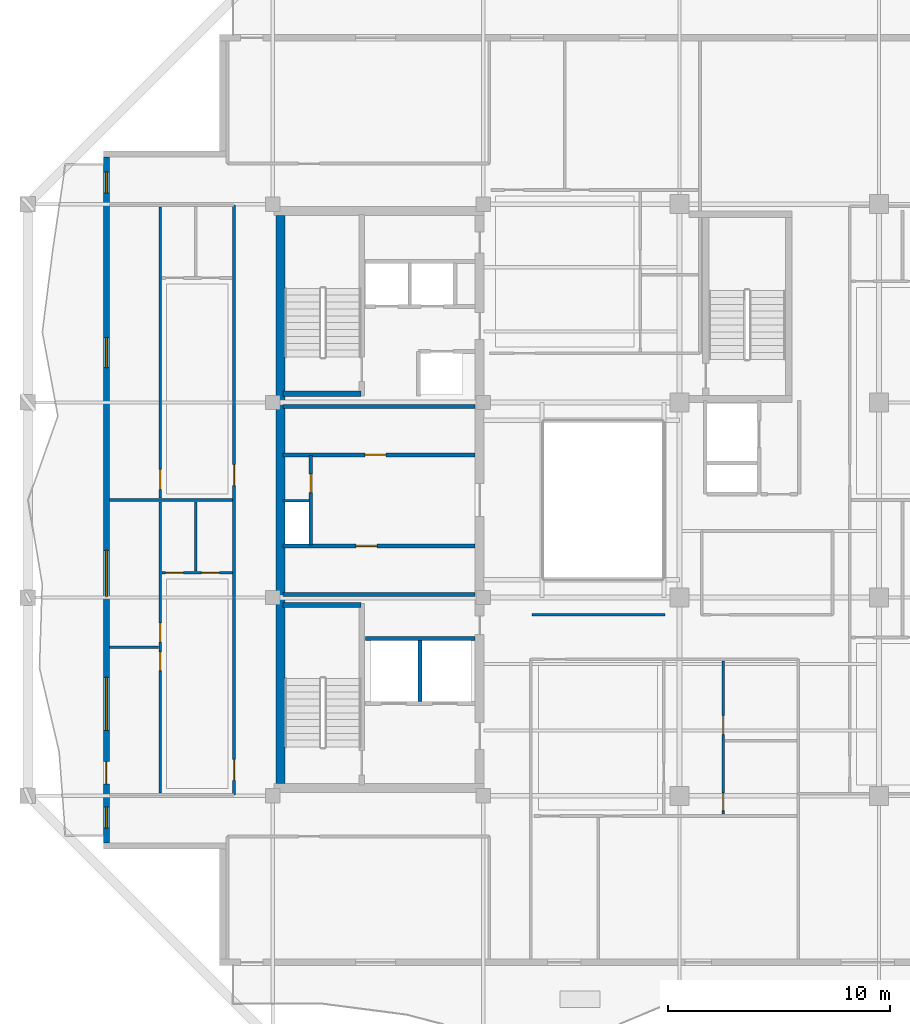
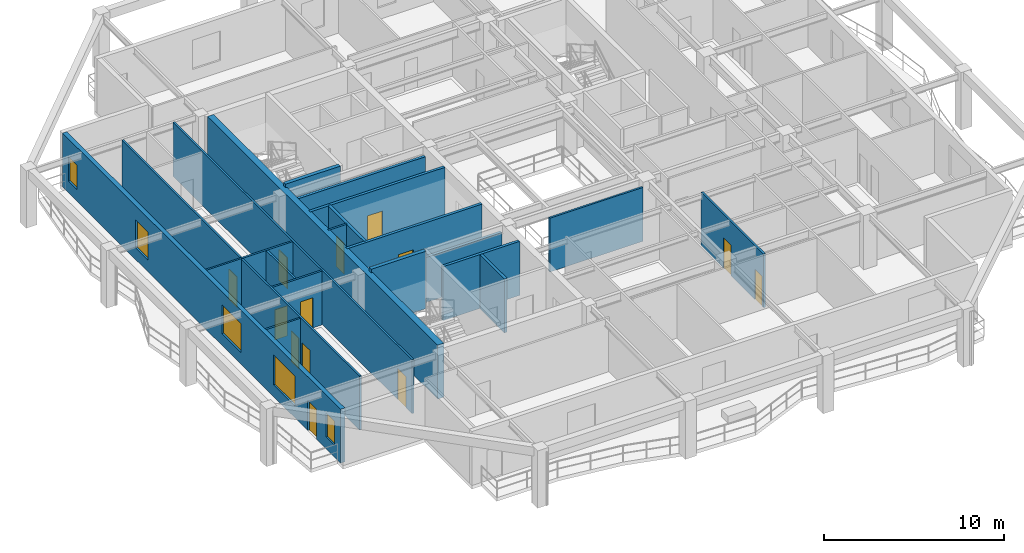
# One storey, part 3 of 11: 21 walls, 13 doors, 5 windows, 18 openings.
"""IFC4 building model written with IfcOpenShell, lengths in metres."""

from ifc_helpers import new_model, si_unit, direction, frame, frame_2d, origin, place, context, subcontext, project, spatial, rectangle, extrude, material, layer, layer_set, type_object, element, fill, save


model = new_model("IFC4")

# Units and contexts
model_context = context("Model", 3, precision=1e-05, world=origin(), true_north=direction((0.0, 1.0)))
body_context = subcontext(model_context, "Body", "Model", "MODEL_VIEW")
ifc_project = project(units=[si_unit("LENGTHUNIT", "METRE"), si_unit("AREAUNIT", "SQUARE_METRE"), si_unit("VOLUMEUNIT", "CUBIC_METRE"), si_unit("PLANEANGLEUNIT", "RADIAN"), si_unit("MASSUNIT", "GRAM", prefix="KILO")], contexts=[model_context])

# Site, building, storey
site_placement = place(None, origin())
site = spatial("IfcSite", under=ifc_project, at=site_placement, CompositionType="ELEMENT")
building_placement = place(site_placement, origin())
building = spatial("IfcBuilding", under=site, at=building_placement, Name="Kundavana Baori Tower", CompositionType="ELEMENT")
storey_placement = place(building_placement, frame((0.0, 0.0, 221.89990234375)))
storey = spatial("IfcBuildingStorey", under=building, at=storey_placement, Name="L54", CompositionType="ELEMENT", Elevation=221.89990234375)

# Walls
ifc_material_1 = material(Name="Concrete C50/60", Category="concrete")
ifc_layer_1 = layer(ifc_material_1, 0.39990234375, Name="WL-CORE-400")
ifc_layer_set_1 = layer_set([ifc_layer_1], Name="Concrete C50/60")
wall_type_1 = type_object("IfcWallType", Name="WL-CORE-400", PredefinedType="SHEAR", material=ifc_layer_set_1)
wall_1_placement = place(storey_placement, frame((15.7900390625, 15.81005859375, 0.0), z_axis=(0.0, 0.0, 1.0), x_axis=(0.0, 1.0, 0.0)))
element("IfcWall", 1, at=wall_1_placement, inside=storey, type_object=wall_type_1, Name="L54 Offset Core West Shear Wall", PredefinedType="SHEAR", context=body_context, shape_type="SweptSolid", body=[
    extrude(rectangle(XDim=25.6298828125, YDim=0.39990234375, at=frame_2d((12.81494140625, 0.0))), origin(), (0.0, 0.0, 1.0), 3.66015625),
])
for number, where, z_axis, x_axis, name in (
    (2, (15.89990234375, 23.860107421875, 0.0), (0.0, 0.0, 1.0), (1.0, 0.0, 0.0), "WL-L54-ST1-N"),
    (3, (15.89990234375, 33.389892578125, 0.0), (0.0, 0.0, 1.0), (1.0, 0.0, 0.0), "WL-L54-ST2-S"),
):
    element("IfcWall", number, at=place(storey_placement, frame(where, z_axis=z_axis, x_axis=x_axis)), inside=storey, type_object=wall_type_1, Name=name, PredefinedType="SHEAR", context=body_context, shape_type="SweptSolid", body=[
        extrude(rectangle(XDim=3.52001953125, YDim=0.239990234375, at=frame_2d((1.760009765625, 0.0))), origin(), (0.0, 0.0, 1.0), 3.900146484375),
    ])

# Wall, openings, door, windows
ifc_material_2 = material(Name="Red-Buff Dholpur Sandstone Cladding on Concrete C40/50", Category="masonry")
ifc_layer_2 = layer(ifc_material_2, 0.280029296875, Name="WL-EXT-SAND-280")
ifc_layer_set_2 = layer_set([ifc_layer_2], Name="Red-Buff Dholpur Sandstone Cladding on Concrete C40/50")
wall_type_2 = type_object("IfcWallType", Name="WL-EXT-SAND-280", PredefinedType="STANDARD", material=ifc_layer_set_2)
wall_2_placement = place(storey_placement, frame((7.93994140625, 44.070068359375, 0.0), z_axis=(0.0, 0.0, 1.0), x_axis=(0.0, -1.0, 0.0)))
wall_2 = element("IfcWall", 4, at=wall_2_placement, inside=storey, type_object=wall_type_2, Name="L54 Exterior Insulated Facade Wall 10", PredefinedType="STANDARD", context=body_context, shape_type="SweptSolid", body=[
    extrude(rectangle(XDim=30.940185546875, YDim=0.280029296875, at=frame_2d((15.47021484375, 0.0))), origin(), (0.0, 0.0, 1.0), 3.66015625),
])
opening_1_placement = place(wall_2_placement, frame((29.324951171875, 0.0, 0.800048828125)))
opening_1 = element("IfcOpeningElement", 5, at=opening_1_placement, cuts=wall_2, Name="Opening W-13", PredefinedType="OPENING", context=body_context, shape_type="SweptSolid", body=[
    extrude(rectangle(XDim=0.949951171875, YDim=1.64990234375, at=frame_2d((0.47509765625, 0.824951171875))), frame((0.0, 0.14990234375, 0.0), z_axis=(0.0, -1.0, 0.0), x_axis=(1.0, 0.0, 0.0)), (0.0, 0.0, 1.0), 0.300048828125),
])
opening_2_placement = place(wall_2_placement, frame((27.280029296875, 0.0, 0.0)))
opening_2 = element("IfcOpeningElement", 6, at=opening_2_placement, cuts=wall_2, Name="Opening BD-1", PredefinedType="OPENING", context=body_context, shape_type="SweptSolid", body=[
    extrude(rectangle(XDim=1.0, YDim=2.050048828125, at=frame_2d((0.5, 1.02490234375))), frame((0.0, 0.14990234375, 0.0), z_axis=(0.0, -1.0, 0.0), x_axis=(1.0, 0.0, 0.0)), (0.0, 0.0, 1.0), 0.300048828125),
])
opening_3_placement = place(wall_2_placement, frame((23.469970703125, 0.0, 0.800048828125)))
opening_3 = element("IfcOpeningElement", 7, at=opening_3_placement, cuts=wall_2, Name="Opening W-04", PredefinedType="OPENING", context=body_context, shape_type="SweptSolid", body=[
    extrude(rectangle(XDim=2.39990234375, YDim=2.050048828125, at=frame_2d((1.199951171875, 1.02490234375))), frame((0.0, 0.14990234375, 0.0), z_axis=(0.0, -1.0, 0.0), x_axis=(1.0, 0.0, 0.0)), (0.0, 0.0, 1.0), 0.300048828125),
])
opening_4_placement = place(wall_2_placement, frame((17.7451171875, 0.0, 0.800048828125)))
opening_4 = element("IfcOpeningElement", 8, at=opening_4_placement, cuts=wall_2, Name="Opening W-05", PredefinedType="OPENING", context=body_context, shape_type="SweptSolid", body=[
    extrude(rectangle(XDim=2.10009765625, YDim=1.949951171875, at=frame_2d((1.050048828125, 0.97509765625))), frame((0.0, 0.14990234375, 0.0), z_axis=(0.0, -1.0, 0.0), x_axis=(1.0, 0.0, 0.0)), (0.0, 0.0, 1.0), 0.300048828125),
])
opening_5_placement = place(wall_2_placement, frame((8.14501953125, 0.0, 0.800048828125)))
opening_5 = element("IfcOpeningElement", 9, at=opening_5_placement, cuts=wall_2, Name="Opening W-07", PredefinedType="OPENING", context=body_context, shape_type="SweptSolid", body=[
    extrude(rectangle(XDim=1.35009765625, YDim=1.89990234375, at=frame_2d((0.675048828125, 0.949951171875))), frame((0.0, 0.14990234375, 0.0), z_axis=(0.0, -1.0, 0.0), x_axis=(1.0, 0.0, 0.0)), (0.0, 0.0, 1.0), 0.300048828125),
])
opening_6_placement = place(wall_2_placement, frame((0.6650390625, 0.0, 0.800048828125)))
opening_6 = element("IfcOpeningElement", 10, at=opening_6_placement, cuts=wall_2, Name="Opening W-13", PredefinedType="OPENING", context=body_context, shape_type="SweptSolid", body=[
    extrude(rectangle(XDim=0.949951171875, YDim=1.64990234375, at=frame_2d((0.47509765625, 0.824951171875))), frame((0.0, 0.14990234375, 0.0), z_axis=(0.0, -1.0, 0.0), x_axis=(1.0, 0.0, 0.0)), (0.0, 0.0, 1.0), 0.300048828125),
])
ifc_material_3 = material(Name="Architectural Patinated Bronze Metalwork")
door_type_1 = type_object("IfcDoorType", Name="DR-EXT-LOG-1000", OperationType="NOTDEFINED", PredefinedType="DOOR", material=ifc_material_3)
door_1_placement = place(opening_2_placement, frame((1.0, 0.0, 0.0), z_axis=(0.0, 0.0, 1.0), x_axis=(-1.0, 0.0, 0.0)))
door_1 = element("IfcDoor", 11, at=door_1_placement, inside=storey, type_object=door_type_1, Name="L54 Loggia Balcony Access Door W", OperationType="SINGLE_SWING_LEFT", OverallHeight=2.050048828125, OverallWidth=1.0, PredefinedType="DOOR", context=body_context, shape_type="SweptSolid", body=[
    extrude(rectangle(XDim=1.0, YDim=2.050048828125, at=frame_2d((0.5, 1.02490234375))), frame((0.0, 0.02490234375, 0.0), z_axis=(0.0, -1.0, 0.0), x_axis=(1.0, 0.0, 0.0)), (0.0, 0.0, 1.0), 0.050048828125),
])
fill(opening_2, door_1)
ifc_material_4 = material(Name="Double-Glazed Solar-Control Low-E Insulated Glass", Category="glass")
window_type_1 = type_object("IfcWindowType", Name="WIN-LOG-1350x1900", PartitioningType="SINGLE_PANEL", PredefinedType="WINDOW", material=ifc_material_4)
window_1_placement = place(opening_5_placement, origin())
window_1 = element("IfcWindow", 12, at=window_1_placement, inside=storey, type_object=window_type_1, Name="L54 Recessed Loggia Window W-4", OverallHeight=1.89990234375, OverallWidth=1.35009765625, PartitioningType="SINGLE_PANEL", PredefinedType="WINDOW", context=body_context, shape_type="SweptSolid", body=[
    extrude(rectangle(XDim=1.35009765625, YDim=1.89990234375, at=frame_2d((0.675048828125, 0.949951171875))), frame((0.0, 0.030029296875, 0.0), z_axis=(0.0, -1.0, 0.0), x_axis=(1.0, 0.0, 0.0)), (0.0, 0.0, 1.0), 0.06005859375),
])
fill(opening_5, window_1)
ifc_material_5 = material(Name="Double-Glazed Solar-Control Low-E Insulated Glass", Category="glass")
window_type_2 = type_object("IfcWindowType", Name="WIN-LOG-2100x1950", PartitioningType="SINGLE_PANEL", PredefinedType="WINDOW", material=ifc_material_5)
window_2_placement = place(opening_4_placement, origin())
window_2 = element("IfcWindow", 13, at=window_2_placement, inside=storey, type_object=window_type_2, Name="L54 Recessed Loggia Window W-3", OverallHeight=1.949951171875, OverallWidth=2.10009765625, PartitioningType="SINGLE_PANEL", PredefinedType="WINDOW", context=body_context, shape_type="SweptSolid", body=[
    extrude(rectangle(XDim=2.10009765625, YDim=1.949951171875, at=frame_2d((1.050048828125, 0.97509765625))), frame((0.0, 0.030029296875, 0.0), z_axis=(0.0, -1.0, 0.0), x_axis=(1.0, 0.0, 0.0)), (0.0, 0.0, 1.0), 0.06005859375),
])
fill(opening_4, window_2)
ifc_material_6 = material(Name="Double-Glazed Solar-Control Low-E Insulated Glass", Category="glass")
window_type_3 = type_object("IfcWindowType", Name="WIN-LOG-2400x2050", PartitioningType="SINGLE_PANEL", PredefinedType="WINDOW", material=ifc_material_6)
window_3_placement = place(opening_3_placement, origin())
window_3 = element("IfcWindow", 14, at=window_3_placement, inside=storey, type_object=window_type_3, Name="L54 Recessed Loggia Window W-2", OverallHeight=2.050048828125, OverallWidth=2.39990234375, PartitioningType="SINGLE_PANEL", PredefinedType="WINDOW", context=body_context, shape_type="SweptSolid", body=[
    extrude(rectangle(XDim=2.39990234375, YDim=2.050048828125, at=frame_2d((1.199951171875, 1.02490234375))), frame((0.0, 0.030029296875, 0.0), z_axis=(0.0, -1.0, 0.0), x_axis=(1.0, 0.0, 0.0)), (0.0, 0.0, 1.0), 0.06005859375),
])
fill(opening_3, window_3)
ifc_material_7 = material(Name="Double-Glazed Solar-Control Low-E Insulated Glass", Category="glass")
window_type_4 = type_object("IfcWindowType", Name="WIN-LOG-950x1650", PartitioningType="SINGLE_PANEL", PredefinedType="WINDOW", material=ifc_material_7)
window_4_placement = place(opening_1_placement, origin())
window_4 = element("IfcWindow", 15, at=window_4_placement, inside=storey, type_object=window_type_4, Name="L54 Recessed Loggia Window W-1", OverallHeight=1.64990234375, OverallWidth=0.949951171875, PartitioningType="SINGLE_PANEL", PredefinedType="WINDOW", context=body_context, shape_type="SweptSolid", body=[
    extrude(rectangle(XDim=0.949951171875, YDim=1.64990234375, at=frame_2d((0.47509765625, 0.824951171875))), frame((0.0, 0.030029296875, 0.0), z_axis=(0.0, -1.0, 0.0), x_axis=(1.0, 0.0, 0.0)), (0.0, 0.0, 1.0), 0.06005859375),
])
fill(opening_1, window_4)
window_5_placement = place(opening_6_placement, origin())
window_5 = element("IfcWindow", 16, at=window_5_placement, inside=storey, type_object=window_type_4, Name="L54 Recessed Loggia Window W-5", OverallHeight=1.64990234375, OverallWidth=0.949951171875, PartitioningType="SINGLE_PANEL", PredefinedType="WINDOW", context=body_context, shape_type="SweptSolid", body=[
    extrude(rectangle(XDim=0.949951171875, YDim=1.64990234375, at=frame_2d((0.47509765625, 0.824951171875))), frame((0.0, 0.030029296875, 0.0), z_axis=(0.0, -1.0, 0.0), x_axis=(1.0, 0.0, 0.0)), (0.0, 0.0, 1.0), 0.06005859375),
])
fill(opening_6, window_5)

# Walls
ifc_material_8 = material(Name="Acoustic Gypsum Plasterboard on Galvanised Steel Studs", Category="steel")
ifc_layer_3 = layer(ifc_material_8, 0.1201171875, Name="WL-PART-120")
ifc_layer_set_3 = layer_set([ifc_layer_3], Name="Acoustic Gypsum Plasterboard on Galvanised Steel Studs")
wall_type_3 = type_object("IfcWallType", Name="WL-PART-120", PredefinedType="PARTITIONING", material=ifc_layer_set_3)
wall_3_placement = place(storey_placement, frame((15.89990234375, 28.56005859375, 0.0), z_axis=(0.0, 0.0, 1.0), x_axis=(1.0, 0.0, 0.0)))
element("IfcWall", 17, at=wall_3_placement, inside=storey, type_object=wall_type_3, Name="WL-L54-RSRW-N", PredefinedType="PARTITIONING", context=body_context, shape_type="SweptSolid", body=[
    extrude(rectangle(XDim=1.2001953125, YDim=0.1201171875, at=frame_2d((0.60009765625, 0.0))), origin(), (0.0, 0.0, 1.0), 3.66015625),
])
wall_4_placement = place(storey_placement, frame((27.14990234375, 23.419921875, 0.0), z_axis=(0.0, 0.0, 1.0), x_axis=(1.0, 0.0, 0.0)))
element("IfcWall", 18, at=wall_4_placement, inside=storey, type_object=wall_type_3, Name="WL-L54-RST", PredefinedType="PARTITIONING", context=body_context, shape_type="SweptSolid", body=[
    extrude(rectangle(XDim=6.0, YDim=0.1201171875, at=frame_2d((3.0, 0.0))), origin(), (0.0, 0.0, 1.0), 3.66015625),
])

# Wall, openings, doors
wall_5_placement = place(storey_placement, frame((13.699951171875, 15.300048828125, 0.0), z_axis=(0.0, 0.0, 1.0), x_axis=(0.0, 1.0, 0.0)))
wall_5 = element("IfcWall", 19, at=wall_5_placement, inside=storey, type_object=wall_type_3, Name="WL-L54-RW", PredefinedType="PARTITIONING", context=body_context, shape_type="SweptSolid", body=[
    extrude(rectangle(XDim=26.599853515625, YDim=0.1201171875, at=frame_2d((13.2998046875, 0.0))), origin(), (0.0, 0.0, 1.0), 3.66015625),
])
opening_7_placement = place(wall_5_placement, frame((0.64990234375, 0.0, 0.0)))
opening_7 = element("IfcOpeningElement", 20, at=opening_7_placement, cuts=wall_5, Name="Opening FD-095", PredefinedType="OPENING", context=body_context, shape_type="SweptSolid", body=[
    extrude(rectangle(XDim=0.949951171875, YDim=2.10009765625, at=frame_2d((0.47509765625, 1.050048828125))), frame((0.0, 0.070068359375, 0.0), z_axis=(0.0, -1.0, 0.0), x_axis=(1.0, 0.0, 0.0)), (0.0, 0.0, 1.0), 0.14013671875),
])
opening_8_placement = place(wall_5_placement, frame((13.949951171875, 0.0, 0.0)))
opening_8 = element("IfcOpeningElement", 21, at=opening_8_placement, cuts=wall_5, Name="Opening FD-095", PredefinedType="OPENING", context=body_context, shape_type="SweptSolid", body=[
    extrude(rectangle(XDim=0.949951171875, YDim=2.10009765625, at=frame_2d((0.47509765625, 1.050048828125))), frame((0.0, 0.070068359375, 0.0), z_axis=(0.0, -1.0, 0.0), x_axis=(1.0, 0.0, 0.0)), (0.0, 0.0, 1.0), 0.14013671875),
])
ifc_material_9 = material(Name="Engineered Teak Fire-Rated Timber Door Leaf", Category="wood")
door_type_2 = type_object("IfcDoorType", Name="DR-FD60-950", OperationType="NOTDEFINED", PredefinedType="DOOR", material=ifc_material_9)
door_2_placement = place(opening_7_placement, frame((0.949951171875, 0.0, 0.0), z_axis=(0.0, 0.0, 1.0), x_axis=(-1.0, 0.0, 0.0)))
door_2 = element("IfcDoor", 22, at=door_2_placement, inside=storey, type_object=door_type_2, Name="DR-L54-W1-ENT", OperationType="SINGLE_SWING_LEFT", OverallHeight=2.10009765625, OverallWidth=0.949951171875, PredefinedType="DOOR", context=body_context, shape_type="SweptSolid", body=[
    extrude(rectangle(XDim=0.949951171875, YDim=2.10009765625, at=frame_2d((0.47509765625, 1.050048828125))), frame((0.0, 0.02490234375, 0.0), z_axis=(0.0, -1.0, 0.0), x_axis=(1.0, 0.0, 0.0)), (0.0, 0.0, 1.0), 0.050048828125),
])
fill(opening_7, door_2)
door_3_placement = place(opening_8_placement, frame((0.949951171875, 0.0, 0.0), z_axis=(0.0, 0.0, 1.0), x_axis=(-1.0, 0.0, 0.0)))
door_3 = element("IfcDoor", 23, at=door_3_placement, inside=storey, type_object=door_type_2, Name="DR-L54-W2-ENT", OperationType="SINGLE_SWING_LEFT", OverallHeight=2.10009765625, OverallWidth=0.949951171875, PredefinedType="DOOR", context=body_context, shape_type="SweptSolid", body=[
    extrude(rectangle(XDim=0.949951171875, YDim=2.10009765625, at=frame_2d((0.47509765625, 1.050048828125))), frame((0.0, 0.02490234375, 0.0), z_axis=(0.0, -1.0, 0.0), x_axis=(1.0, 0.0, 0.0)), (0.0, 0.0, 1.0), 0.050048828125),
])
fill(opening_8, door_3)

wall_6_placement = place(storey_placement, frame((10.3701171875, 15.3798828125, 0.0), z_axis=(0.0, 0.0, 1.0), x_axis=(0.0, 1.0, 0.0)))
wall_6 = element("IfcWall", 24, at=wall_6_placement, inside=storey, type_object=wall_type_3, Name="WL-L54-W1-VT", PredefinedType="PARTITIONING", context=body_context, shape_type="SweptSolid", body=[
    extrude(rectangle(XDim=13.14013671875, YDim=0.1201171875, at=frame_2d((6.570068359375, 0.0))), origin(), (0.0, 0.0, 1.0), 3.66015625),
])
opening_9_placement = place(wall_6_placement, frame((5.52001953125, 0.0, 0.0)))
opening_9 = element("IfcOpeningElement", 25, at=opening_9_placement, cuts=wall_6, Name="Opening ID-085", PredefinedType="OPENING", context=body_context, shape_type="SweptSolid", body=[
    extrude(rectangle(XDim=0.85009765625, YDim=2.080078125, at=frame_2d((0.425048828125, 1.0400390625))), frame((0.0, 0.070068359375, 0.0), z_axis=(0.0, -1.0, 0.0), x_axis=(1.0, 0.0, 0.0)), (0.0, 0.0, 1.0), 0.14013671875),
])
opening_10_placement = place(wall_6_placement, frame((6.820068359375, 0.0, 0.0)))
opening_10 = element("IfcOpeningElement", 26, at=opening_10_placement, cuts=wall_6, Name="Opening ID-085", PredefinedType="OPENING", context=body_context, shape_type="SweptSolid", body=[
    extrude(rectangle(XDim=0.85009765625, YDim=2.080078125, at=frame_2d((0.425048828125, 1.0400390625))), frame((0.0, 0.070068359375, 0.0), z_axis=(0.0, -1.0, 0.0), x_axis=(1.0, 0.0, 0.0)), (0.0, 0.0, 1.0), 0.14013671875),
])
ifc_material_10 = material(Name="Engineered Teak Solid-Core Timber Veneer", Category="wood")
door_type_3 = type_object("IfcDoorType", Name="DR-INT-850", OperationType="NOTDEFINED", PredefinedType="DOOR", material=ifc_material_10)
door_4_placement = place(opening_9_placement, frame((0.85009765625, 0.0, 0.0), z_axis=(0.0, 0.0, 1.0), x_axis=(-1.0, 0.0, 0.0)))
door_4 = element("IfcDoor", 27, at=door_4_placement, inside=storey, type_object=door_type_3, Name="DR-L54-W1-B1", OperationType="SINGLE_SWING_LEFT", OverallHeight=2.080078125, OverallWidth=0.85009765625, PredefinedType="DOOR", context=body_context, shape_type="SweptSolid", body=[
    extrude(rectangle(XDim=0.85009765625, YDim=2.080078125, at=frame_2d((0.425048828125, 1.0400390625))), frame((0.0, 0.02490234375, 0.0), z_axis=(0.0, -1.0, 0.0), x_axis=(1.0, 0.0, 0.0)), (0.0, 0.0, 1.0), 0.050048828125),
])
fill(opening_9, door_4)
door_5_placement = place(opening_10_placement, frame((0.85009765625, 0.0, 0.0), z_axis=(0.0, 0.0, 1.0), x_axis=(-1.0, 0.0, 0.0)))
door_5 = element("IfcDoor", 28, at=door_5_placement, inside=storey, type_object=door_type_3, Name="DR-L54-W1-B2", OperationType="SINGLE_SWING_RIGHT", OverallHeight=2.080078125, OverallWidth=0.85009765625, PredefinedType="DOOR", context=body_context, shape_type="SweptSolid", body=[
    extrude(rectangle(XDim=0.85009765625, YDim=2.080078125, at=frame_2d((0.425048828125, 1.0400390625))), frame((0.0, 0.02490234375, 0.0), z_axis=(0.0, -1.0, 0.0), x_axis=(1.0, 0.0, 0.0)), (0.0, 0.0, 1.0), 0.050048828125),
])
fill(opening_10, door_5)

# Walls
wall_7_placement = place(storey_placement, frame((8.080078125, 21.949951171875, 0.0), z_axis=(0.0, 0.0, 1.0), x_axis=(1.0, 0.0, 0.0)))
element("IfcWall", 29, at=wall_7_placement, inside=storey, type_object=wall_type_3, Name="WL-L54-W1-BDH", PredefinedType="PARTITIONING", context=body_context, shape_type="SweptSolid", body=[
    extrude(rectangle(XDim=2.2099609375, YDim=0.1201171875, at=frame_2d((1.10498046875, 0.0))), origin(), (0.0, 0.0, 1.0), 3.66015625),
])
wall_8_placement = place(storey_placement, frame((8.080078125, 28.60009765625, 0.0), z_axis=(0.0, 0.0, 1.0), x_axis=(1.0, 0.0, 0.0)))
element("IfcWall", 30, at=wall_8_placement, inside=storey, type_object=wall_type_3, Name="WL-L54-RWD1", PredefinedType="PARTITIONING", context=body_context, shape_type="SweptSolid", body=[
    extrude(rectangle(XDim=5.559814453125, YDim=0.1201171875, at=frame_2d((2.77978515625, 0.0))), origin(), (0.0, 0.0, 1.0), 3.66015625),
])

# Wall, opening, door
wall_9_placement = place(storey_placement, frame((10.3701171875, 28.679931640625, 0.0), z_axis=(0.0, 0.0, 1.0), x_axis=(0.0, 1.0, 0.0)))
wall_9 = element("IfcWall", 31, at=wall_9_placement, inside=storey, type_object=wall_type_3, Name="WL-L54-W2-VT", PredefinedType="PARTITIONING", context=body_context, shape_type="SweptSolid", body=[
    extrude(rectangle(XDim=13.14013671875, YDim=0.1201171875, at=frame_2d((6.570068359375, 0.0))), origin(), (0.0, 0.0, 1.0), 3.66015625),
])
opening_11_placement = place(wall_9_placement, frame((0.39990234375, 0.0, 0.0)))
opening_11 = element("IfcOpeningElement", 32, at=opening_11_placement, cuts=wall_9, Name="Opening ID-090", PredefinedType="OPENING", context=body_context, shape_type="SweptSolid", body=[
    extrude(rectangle(XDim=0.89990234375, YDim=2.080078125, at=frame_2d((0.449951171875, 1.0400390625))), frame((0.0, 0.070068359375, 0.0), z_axis=(0.0, -1.0, 0.0), x_axis=(1.0, 0.0, 0.0)), (0.0, 0.0, 1.0), 0.14013671875),
])
ifc_material_11 = material(Name="Engineered Teak Solid-Core Timber Veneer", Category="wood")
door_type_4 = type_object("IfcDoorType", Name="DR-INT-900", OperationType="NOTDEFINED", PredefinedType="DOOR", material=ifc_material_11)
door_6_placement = place(opening_11_placement, frame((0.89990234375, 0.0, 0.0), z_axis=(0.0, 0.0, 1.0), x_axis=(-1.0, 0.0, 0.0)))
door_6 = element("IfcDoor", 33, at=door_6_placement, inside=storey, type_object=door_type_4, Name="DR-L54-W2-B1", OperationType="SINGLE_SWING_LEFT", OverallHeight=2.080078125, OverallWidth=0.89990234375, PredefinedType="DOOR", context=body_context, shape_type="SweptSolid", body=[
    extrude(rectangle(XDim=0.89990234375, YDim=2.080078125, at=frame_2d((0.449951171875, 1.0400390625))), frame((0.0, 0.02490234375, 0.0), z_axis=(0.0, -1.0, 0.0), x_axis=(1.0, 0.0, 0.0)), (0.0, 0.0, 1.0), 0.050048828125),
])
fill(opening_11, door_6)

# Walls
ifc_material_12 = material(Name="Autoclaved Aerated Concrete Blockwork Masonry", Category="masonry")
ifc_layer_4 = layer(ifc_material_12, 0.179931640625, Name="WL-SHAFT-180")
ifc_layer_set_4 = layer_set([ifc_layer_4], Name="Autoclaved Aerated Concrete Blockwork Masonry")
wall_type_4 = type_object("IfcWallType", Name="WL-SHAFT-180", PredefinedType="SOLIDWALL", material=ifc_layer_set_4)
wall_10_placement = place(storey_placement, frame((22.10009765625, 19.510009765625, 0.0), z_axis=(0.0, 0.0, 1.0), x_axis=(0.0, 1.0, 0.0)))
element("IfcWall", 34, at=wall_10_placement, inside=storey, type_object=wall_type_4, Name="WL-L54-FFL-MID", PredefinedType="SOLIDWALL", context=body_context, shape_type="SweptSolid", body=[
    extrude(rectangle(XDim=2.739990234375, YDim=0.179931640625, at=frame_2d((1.3701171875, 0.0))), origin(), (0.0, 0.0, 1.0), 3.66015625),
])
wall_11_placement = place(storey_placement, frame((19.639892578125, 22.340087890625, 0.0), z_axis=(0.0, 0.0, 1.0), x_axis=(1.0, 0.0, 0.0)))
element("IfcWall", 35, at=wall_11_placement, inside=storey, type_object=wall_type_4, Name="WL-L54-FFL-N", PredefinedType="SOLIDWALL", context=body_context, shape_type="SweptSolid", body=[
    extrude(rectangle(XDim=4.940185546875, YDim=0.179931640625, at=frame_2d((2.47021484375, 0.0))), origin(), (0.0, 0.0, 1.0), 3.66015625),
])

# Wall, opening, door
wall_12_placement = place(storey_placement, frame((15.89990234375, 26.52001953125, 0.0), z_axis=(0.0, 0.0, 1.0), x_axis=(1.0, 0.0, 0.0)))
wall_12 = element("IfcWall", 36, at=wall_12_placement, inside=storey, type_object=wall_type_4, Name="WL-L54-LPLOW-N", PredefinedType="SOLIDWALL", context=body_context, shape_type="SweptSolid", body=[
    extrude(rectangle(XDim=8.68017578125, YDim=0.179931640625, at=frame_2d((4.340087890625, 0.0))), origin(), (0.0, 0.0, 1.0), 3.66015625),
])
opening_12_placement = place(wall_12_placement, frame((3.300048828125, 0.0, 0.0)))
opening_12 = element("IfcOpeningElement", 37, at=opening_12_placement, cuts=wall_12, Name="Opening FD-095", PredefinedType="OPENING", context=body_context, shape_type="SweptSolid", body=[
    extrude(rectangle(XDim=0.949951171875, YDim=2.10009765625, at=frame_2d((0.47509765625, 1.050048828125))), frame((0.0, 0.10009765625, 0.0), z_axis=(0.0, -1.0, 0.0), x_axis=(1.0, 0.0, 0.0)), (0.0, 0.0, 1.0), 0.199951171875),
])
door_7_placement = place(opening_12_placement, origin())
door_7 = element("IfcDoor", 38, at=door_7_placement, inside=storey, type_object=door_type_2, Name="DR-L54-FRLOW1", OperationType="SINGLE_SWING_LEFT", OverallHeight=2.10009765625, OverallWidth=0.949951171875, PredefinedType="DOOR", context=body_context, shape_type="SweptSolid", body=[
    extrude(rectangle(XDim=0.949951171875, YDim=2.10009765625, at=frame_2d((0.47509765625, 1.050048828125))), frame((0.0, 0.02490234375, 0.0), z_axis=(0.0, -1.0, 0.0), x_axis=(1.0, 0.0, 0.0)), (0.0, 0.0, 1.0), 0.050048828125),
])
fill(opening_12, door_7)

# Wall
wall_13_placement = place(storey_placement, frame((15.89990234375, 24.330078125, 0.0), z_axis=(0.0, 0.0, 1.0), x_axis=(1.0, 0.0, 0.0)))
element("IfcWall", 39, at=wall_13_placement, inside=storey, type_object=wall_type_4, Name="WL-L54-LPLOW-S", PredefinedType="SOLIDWALL", context=body_context, shape_type="SweptSolid", body=[
    extrude(rectangle(XDim=8.68017578125, YDim=0.179931640625, at=frame_2d((4.340087890625, 0.0))), origin(), (0.0, 0.0, 1.0), 3.06005859375),
])

# Wall, opening, door
wall_14_placement = place(storey_placement, frame((17.159912109375, 26.580078125, 0.0), z_axis=(0.0, 0.0, 1.0), x_axis=(0.0, 1.0, 0.0)))
wall_14 = element("IfcWall", 40, at=wall_14_placement, inside=storey, type_object=wall_type_4, Name="WL-L54-RSRW-E", PredefinedType="SOLIDWALL", context=body_context, shape_type="SweptSolid", body=[
    extrude(rectangle(XDim=4.02001953125, YDim=0.179931640625, at=frame_2d((2.010009765625, 0.0))), origin(), (0.0, 0.0, 1.0), 3.66015625),
])
opening_13_placement = place(wall_14_placement, frame((2.35009765625, 0.0, 0.0)))
opening_13 = element("IfcOpeningElement", 41, at=opening_13_placement, cuts=wall_14, Name="Opening FD-085", PredefinedType="OPENING", context=body_context, shape_type="SweptSolid", body=[
    extrude(rectangle(XDim=0.85009765625, YDim=2.06005859375, at=frame_2d((0.425048828125, 1.030029296875))), frame((0.0, 0.10009765625, 0.0), z_axis=(0.0, -1.0, 0.0), x_axis=(1.0, 0.0, 0.0)), (0.0, 0.0, 1.0), 0.199951171875),
])
ifc_material_13 = material(Name="Galvanised Steel Fire-Rated Door Leaf", Category="steel")
door_type_5 = type_object("IfcDoorType", Name="DR-FD60-850", OperationType="NOTDEFINED", PredefinedType="DOOR", material=ifc_material_13)
door_8_placement = place(opening_13_placement, origin())
door_8 = element("IfcDoor", 42, at=door_8_placement, inside=storey, type_object=door_type_5, Name="DR-L54-CLN", OperationType="SINGLE_SWING_RIGHT", OverallHeight=2.06005859375, OverallWidth=0.85009765625, PredefinedType="DOOR", context=body_context, shape_type="SweptSolid", body=[
    extrude(rectangle(XDim=0.85009765625, YDim=2.06005859375, at=frame_2d((0.425048828125, 1.030029296875))), frame((0.0, 0.02490234375, 0.0), z_axis=(0.0, -1.0, 0.0), x_axis=(1.0, 0.0, 0.0)), (0.0, 0.0, 1.0), 0.050048828125),
])
fill(opening_13, door_8)

wall_15_placement = place(storey_placement, frame((15.89990234375, 30.639892578125, 0.0), z_axis=(0.0, 0.0, 1.0), x_axis=(1.0, 0.0, 0.0)))
wall_15 = element("IfcWall", 43, at=wall_15_placement, inside=storey, type_object=wall_type_4, Name="WL-L54-LPMID-S", PredefinedType="SOLIDWALL", context=body_context, shape_type="SweptSolid", body=[
    extrude(rectangle(XDim=8.68017578125, YDim=0.179931640625, at=frame_2d((4.340087890625, 0.0))), origin(), (0.0, 0.0, 1.0), 3.66015625),
])
opening_14_placement = place(wall_15_placement, frame((3.699951171875, 0.0, 0.0)))
opening_14 = element("IfcOpeningElement", 44, at=opening_14_placement, cuts=wall_15, Name="Opening FD-095", PredefinedType="OPENING", context=body_context, shape_type="SweptSolid", body=[
    extrude(rectangle(XDim=0.949951171875, YDim=2.10009765625, at=frame_2d((0.47509765625, 1.050048828125))), frame((0.0, 0.10009765625, 0.0), z_axis=(0.0, -1.0, 0.0), x_axis=(1.0, 0.0, 0.0)), (0.0, 0.0, 1.0), 0.199951171875),
])
door_9_placement = place(opening_14_placement, frame((0.949951171875, 0.0, 0.0), z_axis=(0.0, 0.0, 1.0), x_axis=(-1.0, 0.0, 0.0)))
door_9 = element("IfcDoor", 45, at=door_9_placement, inside=storey, type_object=door_type_2, Name="DR-L54-FRMID1", OperationType="SINGLE_SWING_RIGHT", OverallHeight=2.10009765625, OverallWidth=0.949951171875, PredefinedType="DOOR", context=body_context, shape_type="SweptSolid", body=[
    extrude(rectangle(XDim=0.949951171875, YDim=2.10009765625, at=frame_2d((0.47509765625, 1.050048828125))), frame((0.0, 0.02490234375, 0.0), z_axis=(0.0, -1.0, 0.0), x_axis=(1.0, 0.0, 0.0)), (0.0, 0.0, 1.0), 0.050048828125),
])
fill(opening_14, door_9)

# Wall
wall_16_placement = place(storey_placement, frame((15.89990234375, 32.820068359375, 0.0), z_axis=(0.0, 0.0, 1.0), x_axis=(1.0, 0.0, 0.0)))
element("IfcWall", 46, at=wall_16_placement, inside=storey, type_object=wall_type_4, Name="WL-L54-LPMID-N", PredefinedType="SOLIDWALL", context=body_context, shape_type="SweptSolid", body=[
    extrude(rectangle(XDim=8.68017578125, YDim=0.179931640625, at=frame_2d((4.340087890625, 0.0))), origin(), (0.0, 0.0, 1.0), 3.06005859375),
])

# Wall, openings, doors
ifc_material_14 = material(Name="Autoclaved Aerated Concrete Blockwork Masonry", Category="masonry")
ifc_layer_5 = layer(ifc_material_14, 0.125, Name="WL-WET-120")
ifc_layer_set_5 = layer_set([ifc_layer_5], Name="Autoclaved Aerated Concrete Blockwork Masonry")
wall_type_5 = type_object("IfcWallType", Name="WL-WET-120", PredefinedType="PLUMBINGWALL", material=ifc_layer_set_5)
wall_17_placement = place(storey_placement, frame((10.449951171875, 25.320068359375, 0.0), z_axis=(0.0, 0.0, 1.0), x_axis=(1.0, 0.0, 0.0)))
wall_17 = element("IfcWall", 47, at=wall_17_placement, inside=storey, type_object=wall_type_5, Name="WL-L54-W1-KH", PredefinedType="PLUMBINGWALL", context=body_context, shape_type="SweptSolid", body=[
    extrude(rectangle(XDim=3.170166015625, YDim=0.125, at=frame_2d((1.5849609375, 0.0))), origin(), (0.0, 0.0, 1.0), 3.66015625),
])
opening_15_placement = place(wall_17_placement, frame((0.159912109375, 0.0, 0.0)))
opening_15 = element("IfcOpeningElement", 48, at=opening_15_placement, cuts=wall_17, Name="Opening WD-080", PredefinedType="OPENING", context=body_context, shape_type="SweptSolid", body=[
    extrude(rectangle(XDim=0.800048828125, YDim=2.050048828125, at=frame_2d((0.39990234375, 1.02490234375))), frame((0.0, 0.072509765625, 0.0), z_axis=(0.0, -1.0, 0.0), x_axis=(1.0, 0.0, 0.0)), (0.0, 0.0, 1.0), 0.14501953125),
])
opening_16_placement = place(wall_17_placement, frame((1.781982421875, 0.0, 0.0)))
opening_16 = element("IfcOpeningElement", 49, at=opening_16_placement, cuts=wall_17, Name="Opening WD-080", PredefinedType="OPENING", context=body_context, shape_type="SweptSolid", body=[
    extrude(rectangle(XDim=0.800048828125, YDim=2.050048828125, at=frame_2d((0.39990234375, 1.02490234375))), frame((0.0, 0.072509765625, 0.0), z_axis=(0.0, -1.0, 0.0), x_axis=(1.0, 0.0, 0.0)), (0.0, 0.0, 1.0), 0.14501953125),
])
ifc_material_15 = material(Name="Engineered Teak Solid-Core Timber Veneer", Category="wood")
door_type_6 = type_object("IfcDoorType", Name="DR-WET-800", OperationType="NOTDEFINED", PredefinedType="DOOR", material=ifc_material_15)
door_10_placement = place(opening_15_placement, origin())
door_10 = element("IfcDoor", 50, at=door_10_placement, inside=storey, type_object=door_type_6, Name="DR-L54-W1-BT", OperationType="SINGLE_SWING_LEFT", OverallHeight=2.050048828125, OverallWidth=0.800048828125, PredefinedType="DOOR", context=body_context, shape_type="SweptSolid", body=[
    extrude(rectangle(XDim=0.800048828125, YDim=2.050048828125, at=frame_2d((0.39990234375, 1.02490234375))), frame((0.0, 0.02490234375, 0.0), z_axis=(0.0, -1.0, 0.0), x_axis=(1.0, 0.0, 0.0)), (0.0, 0.0, 1.0), 0.050048828125),
])
fill(opening_15, door_10)
door_11_placement = place(opening_16_placement, origin())
door_11 = element("IfcDoor", 51, at=door_11_placement, inside=storey, type_object=door_type_6, Name="DR-L54-W1-KT", OperationType="SINGLE_SWING_RIGHT", OverallHeight=2.050048828125, OverallWidth=0.800048828125, PredefinedType="DOOR", context=body_context, shape_type="SweptSolid", body=[
    extrude(rectangle(XDim=0.800048828125, YDim=2.050048828125, at=frame_2d((0.39990234375, 1.02490234375))), frame((0.0, 0.02490234375, 0.0), z_axis=(0.0, -1.0, 0.0), x_axis=(1.0, 0.0, 0.0)), (0.0, 0.0, 1.0), 0.050048828125),
])
fill(opening_16, door_11)

# Wall
wall_18_placement = place(storey_placement, frame((11.971923828125, 25.39990234375, 0.0), z_axis=(0.0, 0.0, 1.0), x_axis=(0.0, 1.0, 0.0)))
element("IfcWall", 52, at=wall_18_placement, inside=storey, type_object=wall_type_5, Name="WL-L54-W1-BV", PredefinedType="PLUMBINGWALL", context=body_context, shape_type="SweptSolid", body=[
    extrude(rectangle(XDim=3.1201171875, YDim=0.125, at=frame_2d((1.56005859375, 0.0))), origin(), (0.0, 0.0, 1.0), 3.66015625),
])

# Wall, openings, doors
wall_19_placement = place(storey_placement, frame((35.77001953125, 14.4208984375, 0.0), z_axis=(0.0, 0.0, 1.0), x_axis=(0.0, 1.0, 0.0)))
wall_19 = element("IfcWall", 53, at=wall_19_placement, inside=storey, type_object=wall_type_5, Name="WL-L54-S1-KT", PredefinedType="PLUMBINGWALL", context=body_context, shape_type="SweptSolid", body=[
    extrude(rectangle(XDim=6.919189453125, YDim=0.125, at=frame_2d((3.45947265625, 0.0))), origin(), (0.0, 0.0, 1.0), 3.66015625),
])
opening_17_placement = place(wall_19_placement, frame((0.159912109375, 0.0, 0.0)))
opening_17 = element("IfcOpeningElement", 54, at=opening_17_placement, cuts=wall_19, Name="Opening WD-080", PredefinedType="OPENING", context=body_context, shape_type="SweptSolid", body=[
    extrude(rectangle(XDim=0.800048828125, YDim=2.050048828125, at=frame_2d((0.39990234375, 1.02490234375))), frame((0.0, 0.072509765625, 0.0), z_axis=(0.0, -1.0, 0.0), x_axis=(1.0, 0.0, 0.0)), (0.0, 0.0, 1.0), 0.14501953125),
])
opening_18_placement = place(wall_19_placement, frame((3.60107421875, 0.0, 0.0)))
opening_18 = element("IfcOpeningElement", 55, at=opening_18_placement, cuts=wall_19, Name="Opening ID-085", PredefinedType="OPENING", context=body_context, shape_type="SweptSolid", body=[
    extrude(rectangle(XDim=0.85009765625, YDim=2.080078125, at=frame_2d((0.425048828125, 1.0400390625))), frame((0.0, 0.072509765625, 0.0), z_axis=(0.0, -1.0, 0.0), x_axis=(1.0, 0.0, 0.0)), (0.0, 0.0, 1.0), 0.14501953125),
])
door_12_placement = place(opening_18_placement, origin())
door_12 = element("IfcDoor", 56, at=door_12_placement, inside=storey, type_object=door_type_3, Name="DR-L54-S1-KT", OperationType="SINGLE_SWING_RIGHT", OverallHeight=2.080078125, OverallWidth=0.85009765625, PredefinedType="DOOR", context=body_context, shape_type="SweptSolid", body=[
    extrude(rectangle(XDim=0.85009765625, YDim=2.080078125, at=frame_2d((0.425048828125, 1.0400390625))), frame((0.0, 0.02490234375, 0.0), z_axis=(0.0, -1.0, 0.0), x_axis=(1.0, 0.0, 0.0)), (0.0, 0.0, 1.0), 0.050048828125),
])
fill(opening_18, door_12)
door_13_placement = place(opening_17_placement, origin())
door_13 = element("IfcDoor", 57, at=door_13_placement, inside=storey, type_object=door_type_6, Name="DR-L54-S1-BT", OperationType="SINGLE_SWING_LEFT", OverallHeight=2.050048828125, OverallWidth=0.800048828125, PredefinedType="DOOR", context=body_context, shape_type="SweptSolid", body=[
    extrude(rectangle(XDim=0.800048828125, YDim=2.050048828125, at=frame_2d((0.39990234375, 1.02490234375))), frame((0.0, 0.02490234375, 0.0), z_axis=(0.0, -1.0, 0.0), x_axis=(1.0, 0.0, 0.0)), (0.0, 0.0, 1.0), 0.050048828125),
])
fill(opening_17, door_13)

save(model, "model.ifc")
